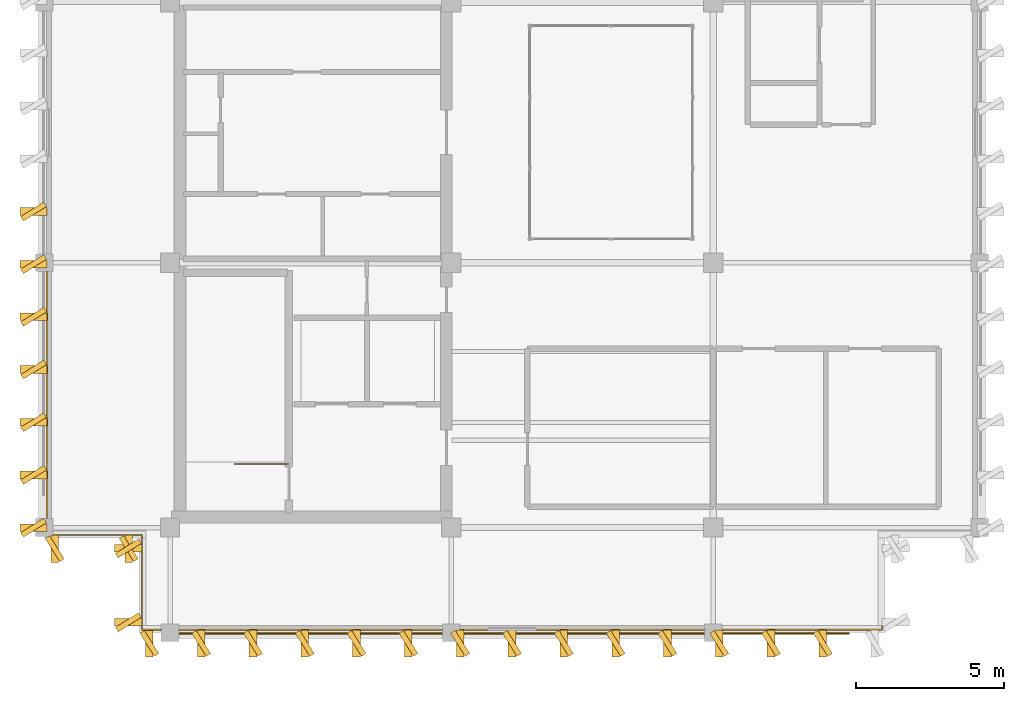
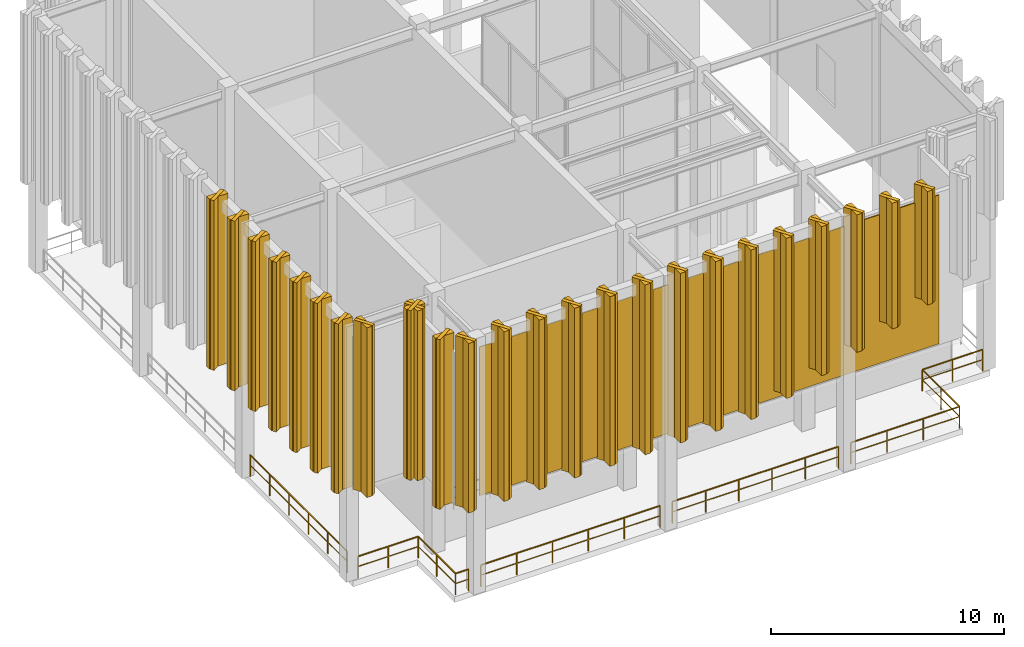
# One storey, part 13 of 15: 26 coverings, 25 shading devices, 7 railings.
"""IFC4 building model written with IfcOpenShell, lengths in metres."""

from ifc_helpers import new_model, si_unit, direction, frame, origin, origin_2d, place, context, subcontext, project, spatial, polyline, rectangle, outline, extrude, material, layer, layer_set, type_object, element, save


model = new_model("IFC4")

# Units and contexts
model_context = context("Model", 3, precision=1e-05, world=origin(), true_north=direction((0.0, 1.0)))
body_context = subcontext(model_context, "Body", "Model", "MODEL_VIEW")
ifc_project = project(units=[si_unit("LENGTHUNIT", "METRE"), si_unit("AREAUNIT", "SQUARE_METRE"), si_unit("VOLUMEUNIT", "CUBIC_METRE"), si_unit("PLANEANGLEUNIT", "RADIAN"), si_unit("MASSUNIT", "GRAM", prefix="KILO")], contexts=[model_context])

# Site, building, storey
site_placement = place(None, origin())
site = spatial("IfcSite", under=ifc_project, at=site_placement, CompositionType="ELEMENT")
building_placement = place(site_placement, origin())
building = spatial("IfcBuilding", under=site, at=building_placement, Name="Kundavana Baori Tower", CompositionType="ELEMENT")
storey_placement = place(building_placement, frame((0.0, 0.0, 354.699951171875)))
storey = spatial("IfcBuildingStorey", under=building, at=storey_placement, Name="L88", CompositionType="ELEMENT", Elevation=354.699951171875)

# Coverings
ifc_material_1 = material(Name="Red-Buff Dholpur Sandstone Cladding on Concrete C40/50", Category="masonry")
ifc_layer_1 = layer(ifc_material_1, 0.050048828125, Name="COV-EXT-CLAD")
ifc_layer_set_1 = layer_set([ifc_layer_1], Name="Red-Buff Dholpur Sandstone Cladding on Concrete C40/50")
covering_type_1 = type_object("IfcCoveringType", Name="COV-EXT-CLAD", PredefinedType="CLADDING", material=ifc_layer_set_1)
covering_1_placement = place(storey_placement, frame((0.0, 0.0, 4.900146484375)))
element("IfcCovering", 1, at=covering_1_placement, inside=storey, type_object=covering_type_1, Name="L88 Crown Carved Dholpur Stone Cladding 01", PredefinedType="CLADDING", context=body_context, shape_type="SweptSolid", body=[
    extrude(outline(polyline([(15.60009765625, 11.64990234375), (38.39990234375, 11.64990234375), (38.39990234375, 11.699951171875), (15.60009765625, 11.699951171875), (15.60009765625, 11.64990234375)])), origin(), (0.0, 0.0, 1.0), 7.7998046875),
])
ifc_material_2 = material(Name="Cream-White Makrana Limestone on Concrete C40/50", Category="masonry")
ifc_layer_2 = layer(ifc_material_2, 0.239990234375, Name="COV-SAIL-FIN")
ifc_layer_set_2 = layer_set([ifc_layer_2], Name="Cream-White Makrana Limestone on Concrete C40/50")
covering_type_2 = type_object("IfcCoveringType", Name="COV-SAIL-FIN", PredefinedType="CLADDING", material=ifc_layer_set_2)
covering_2_placement = place(storey_placement, frame((0.0, 0.0, 4.800048828125)))
element("IfcCovering", 2, at=covering_2_placement, inside=storey, type_object=covering_type_2, Name="L88 Climbing Makrana White Limestone Sail Fin 001", PredefinedType="CLADDING", context=body_context, shape_type="SweptSolid", body=[
    extrude(outline(polyline([(14.6201171875, 10.8798828125), (14.8798828125, 10.8798828125), (14.8798828125, 11.800048828125), (14.6201171875, 11.800048828125), (14.6201171875, 10.8798828125)])), origin(), (0.0, 0.0, 1.0), 8.89990234375),
])
covering_3_placement = place(storey_placement, frame((0.0, 0.0, 4.800048828125)))
element("IfcCovering", 3, at=covering_3_placement, inside=storey, type_object=covering_type_2, Name="L88 Climbing Makrana White Limestone Sail Fin 002", PredefinedType="CLADDING", context=body_context, shape_type="SweptSolid", body=[
    extrude(outline(polyline([(16.3701171875, 10.8798828125), (16.6298828125, 10.8798828125), (16.6298828125, 11.800048828125), (16.3701171875, 11.800048828125), (16.3701171875, 10.8798828125)])), origin(), (0.0, 0.0, 1.0), 8.89990234375),
])
covering_4_placement = place(storey_placement, frame((0.0, 0.0, 4.800048828125)))
element("IfcCovering", 4, at=covering_4_placement, inside=storey, type_object=covering_type_2, Name="L88 Climbing Makrana White Limestone Sail Fin 003", PredefinedType="CLADDING", context=body_context, shape_type="SweptSolid", body=[
    extrude(outline(polyline([(18.1201171875, 10.8798828125), (18.3798828125, 10.8798828125), (18.3798828125, 11.800048828125), (18.1201171875, 11.800048828125), (18.1201171875, 10.8798828125)])), origin(), (0.0, 0.0, 1.0), 8.89990234375),
])
covering_5_placement = place(storey_placement, frame((0.0, 0.0, 4.800048828125)))
element("IfcCovering", 5, at=covering_5_placement, inside=storey, type_object=covering_type_2, Name="L88 Climbing Makrana White Limestone Sail Fin 004", PredefinedType="CLADDING", context=body_context, shape_type="SweptSolid", body=[
    extrude(outline(polyline([(19.8701171875, 10.8798828125), (20.1298828125, 10.8798828125), (20.1298828125, 11.800048828125), (19.8701171875, 11.800048828125), (19.8701171875, 10.8798828125)])), origin(), (0.0, 0.0, 1.0), 8.89990234375),
])
covering_6_placement = place(storey_placement, frame((0.0, 0.0, 4.800048828125)))
element("IfcCovering", 6, at=covering_6_placement, inside=storey, type_object=covering_type_2, Name="L88 Climbing Makrana White Limestone Sail Fin 005", PredefinedType="CLADDING", context=body_context, shape_type="SweptSolid", body=[
    extrude(outline(polyline([(21.6201171875, 10.8798828125), (21.8798828125, 10.8798828125), (21.8798828125, 11.800048828125), (21.6201171875, 11.800048828125), (21.6201171875, 10.8798828125)])), origin(), (0.0, 0.0, 1.0), 8.89990234375),
])
covering_7_placement = place(storey_placement, frame((0.0, 0.0, 4.800048828125)))
element("IfcCovering", 7, at=covering_7_placement, inside=storey, type_object=covering_type_2, Name="L88 Climbing Makrana White Limestone Sail Fin 006", PredefinedType="CLADDING", context=body_context, shape_type="SweptSolid", body=[
    extrude(outline(polyline([(23.3701171875, 10.8798828125), (23.6298828125, 10.8798828125), (23.6298828125, 11.800048828125), (23.3701171875, 11.800048828125), (23.3701171875, 10.8798828125)])), origin(), (0.0, 0.0, 1.0), 8.89990234375),
])
covering_8_placement = place(storey_placement, frame((0.0, 0.0, 4.800048828125)))
element("IfcCovering", 8, at=covering_8_placement, inside=storey, type_object=covering_type_2, Name="L88 Climbing Makrana White Limestone Sail Fin 007", PredefinedType="CLADDING", context=body_context, shape_type="SweptSolid", body=[
    extrude(outline(polyline([(25.1201171875, 10.8798828125), (25.3798828125, 10.8798828125), (25.3798828125, 11.800048828125), (25.1201171875, 11.800048828125), (25.1201171875, 10.8798828125)])), origin(), (0.0, 0.0, 1.0), 8.89990234375),
])
covering_9_placement = place(storey_placement, frame((0.0, 0.0, 4.800048828125)))
element("IfcCovering", 9, at=covering_9_placement, inside=storey, type_object=covering_type_2, Name="L88 Climbing Makrana White Limestone Sail Fin 008", PredefinedType="CLADDING", context=body_context, shape_type="SweptSolid", body=[
    extrude(outline(polyline([(26.8701171875, 10.8798828125), (27.1298828125, 10.8798828125), (27.1298828125, 11.800048828125), (26.8701171875, 11.800048828125), (26.8701171875, 10.8798828125)])), origin(), (0.0, 0.0, 1.0), 8.89990234375),
])
covering_10_placement = place(storey_placement, frame((0.0, 0.0, 4.800048828125)))
element("IfcCovering", 10, at=covering_10_placement, inside=storey, type_object=covering_type_2, Name="L88 Climbing Makrana White Limestone Sail Fin 009", PredefinedType="CLADDING", context=body_context, shape_type="SweptSolid", body=[
    extrude(outline(polyline([(28.6201171875, 10.8798828125), (28.8798828125, 10.8798828125), (28.8798828125, 11.800048828125), (28.6201171875, 11.800048828125), (28.6201171875, 10.8798828125)])), origin(), (0.0, 0.0, 1.0), 8.89990234375),
])
covering_11_placement = place(storey_placement, frame((0.0, 0.0, 5.298583984375)))
element("IfcCovering", 11, at=covering_11_placement, inside=storey, type_object=covering_type_2, Name="L88 Climbing Makrana White Limestone Sail Fin 010", PredefinedType="CLADDING", context=body_context, shape_type="SweptSolid", body=[
    extrude(outline(polyline([(30.3701171875, 10.8798828125), (30.6298828125, 10.8798828125), (30.6298828125, 11.800048828125), (30.3701171875, 11.800048828125), (30.3701171875, 10.8798828125)])), origin(), (0.0, 0.0, 1.0), 8.4013671875),
])
covering_12_placement = place(storey_placement, frame((0.0, 0.0, 5.8857421875)))
element("IfcCovering", 12, at=covering_12_placement, inside=storey, type_object=covering_type_2, Name="L88 Climbing Makrana White Limestone Sail Fin 011", PredefinedType="CLADDING", context=body_context, shape_type="SweptSolid", body=[
    extrude(outline(polyline([(32.1201171875, 10.8798828125), (32.3798828125, 10.8798828125), (32.3798828125, 11.800048828125), (32.1201171875, 11.800048828125), (32.1201171875, 10.8798828125)])), origin(), (0.0, 0.0, 1.0), 7.814208984375),
])
covering_13_placement = place(storey_placement, frame((0.0, 0.0, 6.488037109375)))
element("IfcCovering", 13, at=covering_13_placement, inside=storey, type_object=covering_type_2, Name="L88 Climbing Makrana White Limestone Sail Fin 012", PredefinedType="CLADDING", context=body_context, shape_type="SweptSolid", body=[
    extrude(outline(polyline([(33.8701171875, 10.8798828125), (34.1298828125, 10.8798828125), (34.1298828125, 11.800048828125), (33.8701171875, 11.800048828125), (33.8701171875, 10.8798828125)])), origin(), (0.0, 0.0, 1.0), 7.2119140625),
])
covering_14_placement = place(storey_placement, frame((0.0, 0.0, 7.1083984375)))
element("IfcCovering", 14, at=covering_14_placement, inside=storey, type_object=covering_type_2, Name="L88 Climbing Makrana White Limestone Sail Fin 013", PredefinedType="CLADDING", context=body_context, shape_type="SweptSolid", body=[
    extrude(outline(polyline([(35.6201171875, 10.8798828125), (35.8798828125, 10.8798828125), (35.8798828125, 11.800048828125), (35.6201171875, 11.800048828125), (35.6201171875, 10.8798828125)])), origin(), (0.0, 0.0, 1.0), 6.591552734375),
])
covering_15_placement = place(storey_placement, frame((0.0, 0.0, 7.752685546875)))
element("IfcCovering", 15, at=covering_15_placement, inside=storey, type_object=covering_type_2, Name="L88 Climbing Makrana White Limestone Sail Fin 014", PredefinedType="CLADDING", context=body_context, shape_type="SweptSolid", body=[
    extrude(outline(polyline([(37.3701171875, 10.8798828125), (37.6298828125, 10.8798828125), (37.6298828125, 11.800048828125), (37.3701171875, 11.800048828125), (37.3701171875, 10.8798828125)])), origin(), (0.0, 0.0, 1.0), 5.947265625),
])
covering_16_placement = place(storey_placement, frame((0.0, 0.0, 4.800048828125)))
element("IfcCovering", 16, at=covering_16_placement, inside=storey, type_object=covering_type_2, Name="L88 Climbing Makrana White Limestone Sail Fin 068", PredefinedType="CLADDING", context=body_context, shape_type="SweptSolid", body=[
    extrude(outline(polyline([(10.3798828125, 25.800048828125), (11.300048828125, 25.800048828125), (11.300048828125, 26.06005859375), (10.3798828125, 26.06005859375), (10.3798828125, 25.800048828125)])), origin(), (0.0, 0.0, 1.0), 8.89990234375),
])
covering_17_placement = place(storey_placement, frame((0.0, 0.0, 4.800048828125)))
element("IfcCovering", 17, at=covering_17_placement, inside=storey, type_object=covering_type_2, Name="L88 Climbing Makrana White Limestone Sail Fin 069", PredefinedType="CLADDING", context=body_context, shape_type="SweptSolid", body=[
    extrude(outline(polyline([(10.3798828125, 24.02001953125), (11.300048828125, 24.02001953125), (11.300048828125, 24.280029296875), (10.3798828125, 24.280029296875), (10.3798828125, 24.02001953125)])), origin(), (0.0, 0.0, 1.0), 8.89990234375),
])
covering_18_placement = place(storey_placement, frame((0.0, 0.0, 4.800048828125)))
element("IfcCovering", 18, at=covering_18_placement, inside=storey, type_object=covering_type_2, Name="L88 Climbing Makrana White Limestone Sail Fin 070", PredefinedType="CLADDING", context=body_context, shape_type="SweptSolid", body=[
    extrude(outline(polyline([(10.3798828125, 22.239990234375), (11.300048828125, 22.239990234375), (11.300048828125, 22.5), (10.3798828125, 22.5), (10.3798828125, 22.239990234375)])), origin(), (0.0, 0.0, 1.0), 8.89990234375),
])
covering_19_placement = place(storey_placement, frame((0.0, 0.0, 4.800048828125)))
element("IfcCovering", 19, at=covering_19_placement, inside=storey, type_object=covering_type_2, Name="L88 Climbing Makrana White Limestone Sail Fin 071", PredefinedType="CLADDING", context=body_context, shape_type="SweptSolid", body=[
    extrude(outline(polyline([(10.3798828125, 20.4599609375), (11.300048828125, 20.4599609375), (11.300048828125, 20.719970703125), (10.3798828125, 20.719970703125), (10.3798828125, 20.4599609375)])), origin(), (0.0, 0.0, 1.0), 8.89990234375),
])
covering_20_placement = place(storey_placement, frame((0.0, 0.0, 4.800048828125)))
element("IfcCovering", 20, at=covering_20_placement, inside=storey, type_object=covering_type_2, Name="L88 Climbing Makrana White Limestone Sail Fin 072", PredefinedType="CLADDING", context=body_context, shape_type="SweptSolid", body=[
    extrude(outline(polyline([(10.3798828125, 18.679931640625), (11.300048828125, 18.679931640625), (11.300048828125, 18.93994140625), (10.3798828125, 18.93994140625), (10.3798828125, 18.679931640625)])), origin(), (0.0, 0.0, 1.0), 8.89990234375),
])
covering_21_placement = place(storey_placement, frame((0.0, 0.0, 4.800048828125)))
element("IfcCovering", 21, at=covering_21_placement, inside=storey, type_object=covering_type_2, Name="L88 Climbing Makrana White Limestone Sail Fin 073", PredefinedType="CLADDING", context=body_context, shape_type="SweptSolid", body=[
    extrude(outline(polyline([(10.3798828125, 16.89990234375), (11.300048828125, 16.89990234375), (11.300048828125, 17.159912109375), (10.3798828125, 17.159912109375), (10.3798828125, 16.89990234375)])), origin(), (0.0, 0.0, 1.0), 8.89990234375),
])
covering_22_placement = place(storey_placement, frame((0.0, 0.0, 4.800048828125)))
element("IfcCovering", 22, at=covering_22_placement, inside=storey, type_object=covering_type_2, Name="L88 Climbing Makrana White Limestone Sail Fin 074", PredefinedType="CLADDING", context=body_context, shape_type="SweptSolid", body=[
    extrude(outline(polyline([(10.3798828125, 15.1201171875), (11.300048828125, 15.1201171875), (11.300048828125, 15.3798828125), (10.3798828125, 15.3798828125), (10.3798828125, 15.1201171875)])), origin(), (0.0, 0.0, 1.0), 8.89990234375),
])
covering_23_placement = place(storey_placement, frame((0.0, 0.0, 4.800048828125)))
element("IfcCovering", 23, at=covering_23_placement, inside=storey, type_object=covering_type_2, Name="L88 Climbing Makrana White Limestone Sail Fin 075", PredefinedType="CLADDING", context=body_context, shape_type="SweptSolid", body=[
    extrude(outline(polyline([(11.419921875, 14.080078125), (11.679931640625, 14.080078125), (11.679931640625, 15.0), (11.419921875, 15.0), (11.419921875, 14.080078125)])), origin(), (0.0, 0.0, 1.0), 8.89990234375),
])
covering_24_placement = place(storey_placement, frame((0.0, 0.0, 4.800048828125)))
element("IfcCovering", 24, at=covering_24_placement, inside=storey, type_object=covering_type_2, Name="L88 Climbing Makrana White Limestone Sail Fin 076", PredefinedType="CLADDING", context=body_context, shape_type="SweptSolid", body=[
    extrude(outline(polyline([(13.919921875, 14.080078125), (14.179931640625, 14.080078125), (14.179931640625, 15.0), (13.919921875, 15.0), (13.919921875, 14.080078125)])), origin(), (0.0, 0.0, 1.0), 8.89990234375),
])
covering_25_placement = place(storey_placement, frame((0.0, 0.0, 4.800048828125)))
element("IfcCovering", 25, at=covering_25_placement, inside=storey, type_object=covering_type_2, Name="L88 Climbing Makrana White Limestone Sail Fin 077", PredefinedType="CLADDING", context=body_context, shape_type="SweptSolid", body=[
    extrude(outline(polyline([(13.580078125, 14.419921875), (14.5, 14.419921875), (14.5, 14.679931640625), (13.580078125, 14.679931640625), (13.580078125, 14.419921875)])), origin(), (0.0, 0.0, 1.0), 8.89990234375),
])
covering_26_placement = place(storey_placement, frame((0.0, 0.0, 4.800048828125)))
element("IfcCovering", 26, at=covering_26_placement, inside=storey, type_object=covering_type_2, Name="L88 Climbing Makrana White Limestone Sail Fin 078", PredefinedType="CLADDING", context=body_context, shape_type="SweptSolid", body=[
    extrude(outline(polyline([(13.580078125, 11.919921875), (14.5, 11.919921875), (14.5, 12.179931640625), (13.580078125, 12.179931640625), (13.580078125, 11.919921875)])), origin(), (0.0, 0.0, 1.0), 8.89990234375),
])

# Railings
ifc_material_3 = material(Name="Architectural Patinated Bronze Metalwork")
railing_type_1 = type_object("IfcRailingType", Name="RL-BAL-1150", PredefinedType="BALUSTRADE", material=ifc_material_3)
railing_1_placement = place(storey_placement, frame((14.5, 11.800048828125, 0.0)))
element("IfcRailing", 27, at=railing_1_placement, inside=storey, type_object=railing_type_1, Name="L88 Mechanical Floor Perimeter Guard Rail 01", PredefinedType="BALUSTRADE", context=body_context, shape_type="SweptSolid", body=[
    extrude(rectangle(XDim=0.048095703125, YDim=0.048095703125, at=origin_2d()), frame((0.0, 0.0, 1.1259765625), z_axis=(0.0, 1.0, 0.0), x_axis=(-1.0, 0.0, 0.0)), (0.0, 0.0, 1.0), 3.199951171875),
    extrude(rectangle(XDim=0.03125, YDim=0.03125, at=origin_2d()), frame((0.0, 0.0, 0.597900390625), z_axis=(0.0, 1.0, 0.0), x_axis=(-1.0, 0.0, 0.0)), (0.0, 0.0, 1.0), 3.199951171875),
    extrude(rectangle(XDim=0.048095703125, YDim=0.048095703125, at=origin_2d()), frame((0.0, 3.199951171875, 1.1259765625), z_axis=(-1.0, 0.0, 0.0), x_axis=(0.0, -1.0, 0.0)), (0.0, 0.0, 1.0), 2.9951171875),
    extrude(rectangle(XDim=0.03125, YDim=0.03125, at=origin_2d()), frame((0.0, 3.199951171875, 0.597900390625), z_axis=(-1.0, 0.0, 0.0), x_axis=(0.0, -1.0, 0.0)), (0.0, 0.0, 1.0), 2.9951171875),
    extrude(rectangle(XDim=0.0419921875, YDim=0.0419921875, at=origin_2d()), origin(), (0.0, 0.0, 1.0), 1.101806640625),
    extrude(rectangle(XDim=0.0419921875, YDim=0.0419921875, at=origin_2d()), frame((0.0, 1.60009765625, 0.0)), (0.0, 0.0, 1.0), 1.101806640625),
    extrude(rectangle(XDim=0.0419921875, YDim=0.0419921875, at=origin_2d()), frame((0.0, 3.199951171875, 0.0)), (0.0, 0.0, 1.0), 1.101806640625),
    extrude(rectangle(XDim=0.0419921875, YDim=0.0419921875, at=origin_2d()), frame((-1.49755859375, 3.199951171875, 0.0)), (0.0, 0.0, 1.0), 1.101806640625),
    extrude(rectangle(XDim=0.0419921875, YDim=0.0419921875, at=origin_2d()), frame((-2.9951171875, 3.199951171875, 0.0)), (0.0, 0.0, 1.0), 1.101806640625),
])
railing_2_placement = place(storey_placement, frame((11.300048828125, 15.554931640625, 0.0)))
element("IfcRailing", 28, at=railing_2_placement, inside=storey, type_object=railing_type_1, Name="L88 Mechanical Floor Perimeter Guard Rail 02", PredefinedType="BALUSTRADE", context=body_context, shape_type="SweptSolid", body=[
    extrude(rectangle(XDim=0.048095703125, YDim=0.048095703125, at=origin_2d()), frame((0.0, 0.0, 1.1259765625), z_axis=(0.0, 1.0, 0.0), x_axis=(-1.0, 0.0, 0.0)), (0.0, 0.0, 1.0), 8.340087890625),
    extrude(rectangle(XDim=0.03125, YDim=0.03125, at=origin_2d()), frame((0.0, 0.0, 0.597900390625), z_axis=(0.0, 1.0, 0.0), x_axis=(-1.0, 0.0, 0.0)), (0.0, 0.0, 1.0), 8.340087890625),
    extrude(rectangle(XDim=0.0419921875, YDim=0.0419921875, at=origin_2d()), origin(), (0.0, 0.0, 1.0), 1.101806640625),
    extrude(rectangle(XDim=0.0419921875, YDim=0.0419921875, at=origin_2d()), frame((0.0, 1.66796875, 0.0)), (0.0, 0.0, 1.0), 1.101806640625),
    extrude(rectangle(XDim=0.0419921875, YDim=0.0419921875, at=origin_2d()), frame((0.0, 3.3359375, 0.0)), (0.0, 0.0, 1.0), 1.101806640625),
    extrude(rectangle(XDim=0.0419921875, YDim=0.0419921875, at=origin_2d()), frame((0.0, 5.004150390625, 0.0)), (0.0, 0.0, 1.0), 1.101806640625),
    extrude(rectangle(XDim=0.0419921875, YDim=0.0419921875, at=origin_2d()), frame((0.0, 6.672119140625, 0.0)), (0.0, 0.0, 1.0), 1.101806640625),
    extrude(rectangle(XDim=0.0419921875, YDim=0.0419921875, at=origin_2d()), frame((0.0, 8.340087890625, 0.0)), (0.0, 0.0, 1.0), 1.101806640625),
])
railing_3_placement = place(storey_placement, frame((42.4951171875, 15.0, 0.0)))
element("IfcRailing", 29, at=railing_3_placement, inside=storey, type_object=railing_type_1, Name="L88 Mechanical Floor Perimeter Guard Rail 12", PredefinedType="BALUSTRADE", context=body_context, shape_type="SweptSolid", body=[
    extrude(rectangle(XDim=0.048095703125, YDim=0.048095703125, at=origin_2d()), frame((0.0, 0.0, 1.1259765625), z_axis=(-1.0, 0.0, 0.0), x_axis=(0.0, -1.0, 0.0)), (0.0, 0.0, 1.0), 2.9951171875),
    extrude(rectangle(XDim=0.03125, YDim=0.03125, at=origin_2d()), frame((0.0, 0.0, 0.597900390625), z_axis=(-1.0, 0.0, 0.0), x_axis=(0.0, -1.0, 0.0)), (0.0, 0.0, 1.0), 2.9951171875),
    extrude(rectangle(XDim=0.048095703125, YDim=0.048095703125, at=origin_2d()), frame((-2.9951171875, 0.0, 1.1259765625), z_axis=(0.0, -1.0, 0.0), x_axis=(1.0, 0.0, 0.0)), (0.0, 0.0, 1.0), 3.199951171875),
    extrude(rectangle(XDim=0.03125, YDim=0.03125, at=origin_2d()), frame((-2.9951171875, 0.0, 0.597900390625), z_axis=(0.0, -1.0, 0.0), x_axis=(1.0, 0.0, 0.0)), (0.0, 0.0, 1.0), 3.199951171875),
    extrude(rectangle(XDim=0.048095703125, YDim=0.048095703125, at=origin_2d()), frame((-2.9951171875, -3.199951171875, 1.1259765625), z_axis=(-1.0, 0.0, 0.0), x_axis=(0.0, -1.0, 0.0)), (0.0, 0.0, 1.0), 5.39501953125),
    extrude(rectangle(XDim=0.03125, YDim=0.03125, at=origin_2d()), frame((-2.9951171875, -3.199951171875, 0.597900390625), z_axis=(-1.0, 0.0, 0.0), x_axis=(0.0, -1.0, 0.0)), (0.0, 0.0, 1.0), 5.39501953125),
    extrude(rectangle(XDim=0.0419921875, YDim=0.0419921875, at=origin_2d()), origin(), (0.0, 0.0, 1.0), 1.101806640625),
    extrude(rectangle(XDim=0.0419921875, YDim=0.0419921875, at=origin_2d()), frame((-1.49755859375, 0.0, 0.0)), (0.0, 0.0, 1.0), 1.101806640625),
    extrude(rectangle(XDim=0.0419921875, YDim=0.0419921875, at=origin_2d()), frame((-2.9951171875, 0.0, 0.0)), (0.0, 0.0, 1.0), 1.101806640625),
    extrude(rectangle(XDim=0.0419921875, YDim=0.0419921875, at=origin_2d()), frame((-2.9951171875, -1.60009765625, 0.0)), (0.0, 0.0, 1.0), 1.101806640625),
    extrude(rectangle(XDim=0.0419921875, YDim=0.0419921875, at=origin_2d()), frame((-2.9951171875, -3.199951171875, 0.0)), (0.0, 0.0, 1.0), 1.101806640625),
    extrude(rectangle(XDim=0.0419921875, YDim=0.0419921875, at=origin_2d()), frame((-4.79345703125, -3.199951171875, 0.0)), (0.0, 0.0, 1.0), 1.101806640625),
    extrude(rectangle(XDim=0.0419921875, YDim=0.0419921875, at=origin_2d()), frame((-6.591796875, -3.199951171875, 0.0)), (0.0, 0.0, 1.0), 1.101806640625),
    extrude(rectangle(XDim=0.0419921875, YDim=0.0419921875, at=origin_2d()), frame((-8.39013671875, -3.199951171875, 0.0)), (0.0, 0.0, 1.0), 1.101806640625),
])
railing_4_placement = place(storey_placement, frame((33.4951171875, 11.800048828125, 0.0)))
element("IfcRailing", 30, at=railing_4_placement, inside=storey, type_object=railing_type_1, Name="L88 Mechanical Floor Perimeter Guard Rail 13", PredefinedType="BALUSTRADE", context=body_context, shape_type="SweptSolid", body=[
    extrude(rectangle(XDim=0.048095703125, YDim=0.048095703125, at=origin_2d()), frame((0.0, 0.0, 1.1259765625), z_axis=(-1.0, 0.0, 0.0), x_axis=(0.0, -1.0, 0.0)), (0.0, 0.0, 1.0), 8.240234375),
    extrude(rectangle(XDim=0.03125, YDim=0.03125, at=origin_2d()), frame((0.0, 0.0, 0.597900390625), z_axis=(-1.0, 0.0, 0.0), x_axis=(0.0, -1.0, 0.0)), (0.0, 0.0, 1.0), 8.240234375),
    extrude(rectangle(XDim=0.0419921875, YDim=0.0419921875, at=origin_2d()), origin(), (0.0, 0.0, 1.0), 1.101806640625),
    extrude(rectangle(XDim=0.0419921875, YDim=0.0419921875, at=origin_2d()), frame((-1.64794921875, 0.0, 0.0)), (0.0, 0.0, 1.0), 1.101806640625),
    extrude(rectangle(XDim=0.0419921875, YDim=0.0419921875, at=origin_2d()), frame((-3.296142578125, 0.0, 0.0)), (0.0, 0.0, 1.0), 1.101806640625),
    extrude(rectangle(XDim=0.0419921875, YDim=0.0419921875, at=origin_2d()), frame((-4.944091796875, 0.0, 0.0)), (0.0, 0.0, 1.0), 1.101806640625),
    extrude(rectangle(XDim=0.0419921875, YDim=0.0419921875, at=origin_2d()), frame((-6.59228515625, 0.0, 0.0)), (0.0, 0.0, 1.0), 1.101806640625),
    extrude(rectangle(XDim=0.0419921875, YDim=0.0419921875, at=origin_2d()), frame((-8.240234375, 0.0, 0.0)), (0.0, 0.0, 1.0), 1.101806640625),
])
railing_5_placement = place(storey_placement, frame((24.64501953125, 11.800048828125, 0.0)))
element("IfcRailing", 31, at=railing_5_placement, inside=storey, type_object=railing_type_1, Name="L88 Mechanical Floor Perimeter Guard Rail 14", PredefinedType="BALUSTRADE", context=body_context, shape_type="SweptSolid", body=[
    extrude(rectangle(XDim=0.048095703125, YDim=0.048095703125, at=origin_2d()), frame((0.0, 0.0, 1.1259765625), z_axis=(-1.0, 0.0, 0.0), x_axis=(0.0, -1.0, 0.0)), (0.0, 0.0, 1.0), 8.89013671875),
    extrude(rectangle(XDim=0.03125, YDim=0.03125, at=origin_2d()), frame((0.0, 0.0, 0.597900390625), z_axis=(-1.0, 0.0, 0.0), x_axis=(0.0, -1.0, 0.0)), (0.0, 0.0, 1.0), 8.89013671875),
    extrude(rectangle(XDim=0.0419921875, YDim=0.0419921875, at=origin_2d()), origin(), (0.0, 0.0, 1.0), 1.101806640625),
    extrude(rectangle(XDim=0.0419921875, YDim=0.0419921875, at=origin_2d()), frame((-1.778076171875, 0.0, 0.0)), (0.0, 0.0, 1.0), 1.101806640625),
    extrude(rectangle(XDim=0.0419921875, YDim=0.0419921875, at=origin_2d()), frame((-3.55615234375, 0.0, 0.0)), (0.0, 0.0, 1.0), 1.101806640625),
    extrude(rectangle(XDim=0.0419921875, YDim=0.0419921875, at=origin_2d()), frame((-5.333984375, 0.0, 0.0)), (0.0, 0.0, 1.0), 1.101806640625),
    extrude(rectangle(XDim=0.0419921875, YDim=0.0419921875, at=origin_2d()), frame((-7.112060546875, 0.0, 0.0)), (0.0, 0.0, 1.0), 1.101806640625),
    extrude(rectangle(XDim=0.0419921875, YDim=0.0419921875, at=origin_2d()), frame((-8.89013671875, 0.0, 0.0)), (0.0, 0.0, 1.0), 1.101806640625),
])
railing_6_placement = place(storey_placement, frame((15.14501953125, 11.800048828125, 0.0)))
element("IfcRailing", 32, at=railing_6_placement, inside=storey, type_object=railing_type_1, Name="L88 Mechanical Floor Perimeter Guard Rail 15", PredefinedType="BALUSTRADE", context=body_context, shape_type="SweptSolid", body=[
    extrude(rectangle(XDim=0.048095703125, YDim=0.048095703125, at=origin_2d()), frame((0.0, 0.0, 1.1259765625), z_axis=(-1.0, 0.0, 0.0), x_axis=(0.0, -1.0, 0.0)), (0.0, 0.0, 1.0), 0.64501953125),
    extrude(rectangle(XDim=0.03125, YDim=0.03125, at=origin_2d()), frame((0.0, 0.0, 0.597900390625), z_axis=(-1.0, 0.0, 0.0), x_axis=(0.0, -1.0, 0.0)), (0.0, 0.0, 1.0), 0.64501953125),
    extrude(rectangle(XDim=0.0419921875, YDim=0.0419921875, at=origin_2d()), origin(), (0.0, 0.0, 1.0), 1.101806640625),
    extrude(rectangle(XDim=0.0419921875, YDim=0.0419921875, at=origin_2d()), frame((-0.64501953125, 0.0, 0.0)), (0.0, 0.0, 1.0), 1.101806640625),
])
ifc_material_4 = material(Name="Architectural Patinated Bronze Metalwork")
railing_type_2 = type_object("IfcRailingType", Name="RL-GRD-1150", PredefinedType="GUARDRAIL", material=ifc_material_4)
railing_7_placement = place(storey_placement, frame((19.43994140625, 17.39990234375, 0.0)))
element("IfcRailing", 33, at=railing_7_placement, inside=storey, type_object=railing_type_2, Name="L88 ST1 top well guard 1", PredefinedType="GUARDRAIL", context=body_context, shape_type="SweptSolid", body=[
    extrude(rectangle(XDim=0.048095703125, YDim=0.048095703125, at=origin_2d()), frame((0.0, 0.0, 1.1259765625), z_axis=(-1.0, 0.0, 0.0), x_axis=(0.0, -1.0, 0.0)), (0.0, 0.0, 1.0), 1.81005859375),
    extrude(rectangle(XDim=0.03125, YDim=0.03125, at=origin_2d()), frame((0.0, 0.0, 0.597900390625), z_axis=(-1.0, 0.0, 0.0), x_axis=(0.0, -1.0, 0.0)), (0.0, 0.0, 1.0), 1.81005859375),
    extrude(rectangle(XDim=0.0419921875, YDim=0.0419921875, at=origin_2d()), origin(), (0.0, 0.0, 1.0), 1.101806640625),
    extrude(rectangle(XDim=0.0419921875, YDim=0.0419921875, at=origin_2d()), frame((-1.81005859375, 0.0, 0.0)), (0.0, 0.0, 1.0), 1.101806640625),
])

# Shading devices
ifc_material_5 = material(Name="Red-Buff Dholpur Sandstone Cladding on Concrete C40/50", Category="masonry")
shading_device_type = type_object("IfcShadingDeviceType", Name="SHD-FIN-920", PredefinedType="JALOUSIE", material=ifc_material_5)
for number, where, z_axis, x_axis, name in (
    (34, (14.75, 11.340087890625, 4.800048828125), (0.0, 0.0, 1.0), (0.848048096156, 0.529919264233, 0.0), "L88 Sweeping Makrana Limestone Crown Sail Blade 001"),
    (35, (16.5, 11.340087890625, 4.800048828125), (0.0, 0.0, 1.0), (0.848048096156, 0.529919264233, 0.0), "L88 Sweeping Makrana Limestone Crown Sail Blade 002"),
    (36, (18.25, 11.340087890625, 4.800048828125), (0.0, 0.0, 1.0), (0.848048096156, 0.529919264233, 0.0), "L88 Sweeping Makrana Limestone Crown Sail Blade 003"),
    (37, (20.0, 11.340087890625, 4.800048828125), (0.0, 0.0, 1.0), (0.848048096156, 0.529919264233, 0.0), "L88 Sweeping Makrana Limestone Crown Sail Blade 004"),
    (38, (21.75, 11.340087890625, 4.800048828125), (0.0, 0.0, 1.0), (0.848048096156, 0.529919264233, 0.0), "L88 Sweeping Makrana Limestone Crown Sail Blade 005"),
    (39, (23.5, 11.340087890625, 4.800048828125), (0.0, 0.0, 1.0), (0.848048096156, 0.529919264233, 0.0), "L88 Sweeping Makrana Limestone Crown Sail Blade 006"),
    (40, (25.25, 11.340087890625, 4.800048828125), (0.0, 0.0, 1.0), (0.848048096156, 0.529919264233, 0.0), "L88 Sweeping Makrana Limestone Crown Sail Blade 007"),
    (41, (27.0, 11.340087890625, 4.800048828125), (0.0, 0.0, 1.0), (0.848048096156, 0.529919264233, 0.0), "L88 Sweeping Makrana Limestone Crown Sail Blade 008"),
    (42, (28.75, 11.340087890625, 4.800048828125), (0.0, 0.0, 1.0), (0.848048096156, 0.529919264233, 0.0), "L88 Sweeping Makrana Limestone Crown Sail Blade 009"),
):
    element("IfcShadingDevice", number, at=place(storey_placement, frame(where, z_axis=z_axis, x_axis=x_axis)), inside=storey, type_object=shading_device_type, Name=name, PredefinedType="JALOUSIE", context=body_context, shape_type="SweptSolid", body=[
        extrude(rectangle(XDim=0.179931640625, YDim=0.919921875, at=origin_2d()), origin(), (0.0, 0.0, 1.0), 8.89990234375),
    ])
shading_device_1_placement = place(storey_placement, frame((30.5, 11.340087890625, 5.298583984375), z_axis=(0.0, 0.0, 1.0), x_axis=(0.848048096156, 0.529919264233, 0.0)))
element("IfcShadingDevice", 43, at=shading_device_1_placement, inside=storey, type_object=shading_device_type, Name="L88 Sweeping Makrana Limestone Crown Sail Blade 010", PredefinedType="JALOUSIE", context=body_context, shape_type="SweptSolid", body=[
    extrude(rectangle(XDim=0.179931640625, YDim=0.919921875, at=origin_2d()), origin(), (0.0, 0.0, 1.0), 8.4013671875),
])
shading_device_2_placement = place(storey_placement, frame((32.25, 11.340087890625, 5.8857421875), z_axis=(0.0, 0.0, 1.0), x_axis=(0.848048096156, 0.529919264233, 0.0)))
element("IfcShadingDevice", 44, at=shading_device_2_placement, inside=storey, type_object=shading_device_type, Name="L88 Sweeping Makrana Limestone Crown Sail Blade 011", PredefinedType="JALOUSIE", context=body_context, shape_type="SweptSolid", body=[
    extrude(rectangle(XDim=0.179931640625, YDim=0.919921875, at=origin_2d()), origin(), (0.0, 0.0, 1.0), 7.814208984375),
])
shading_device_3_placement = place(storey_placement, frame((34.0, 11.340087890625, 6.48779296875), z_axis=(0.0, 0.0, 1.0), x_axis=(0.848048096156, 0.529919264233, 0.0)))
element("IfcShadingDevice", 45, at=shading_device_3_placement, inside=storey, type_object=shading_device_type, Name="L88 Sweeping Makrana Limestone Crown Sail Blade 012", PredefinedType="JALOUSIE", context=body_context, shape_type="SweptSolid", body=[
    extrude(rectangle(XDim=0.179931640625, YDim=0.919921875, at=origin_2d()), origin(), (0.0, 0.0, 1.0), 7.212158203125),
])
shading_device_4_placement = place(storey_placement, frame((35.75, 11.340087890625, 7.1083984375), z_axis=(0.0, 0.0, 1.0), x_axis=(0.848048096156, 0.529919264233, 0.0)))
element("IfcShadingDevice", 46, at=shading_device_4_placement, inside=storey, type_object=shading_device_type, Name="L88 Sweeping Makrana Limestone Crown Sail Blade 013", PredefinedType="JALOUSIE", context=body_context, shape_type="SweptSolid", body=[
    extrude(rectangle(XDim=0.179931640625, YDim=0.919921875, at=origin_2d()), origin(), (0.0, 0.0, 1.0), 6.591552734375),
])
shading_device_5_placement = place(storey_placement, frame((37.5, 11.340087890625, 7.75244140625), z_axis=(0.0, 0.0, 1.0), x_axis=(0.848048096156, 0.529919264233, 0.0)))
element("IfcShadingDevice", 47, at=shading_device_5_placement, inside=storey, type_object=shading_device_type, Name="L88 Sweeping Makrana Limestone Crown Sail Blade 014", PredefinedType="JALOUSIE", context=body_context, shape_type="SweptSolid", body=[
    extrude(rectangle(XDim=0.179931640625, YDim=0.919921875, at=origin_2d()), origin(), (0.0, 0.0, 1.0), 5.947509765625),
])
for number, where, z_axis, x_axis, name in (
    (48, (10.840087890625, 25.929931640625, 4.800048828125), (0.0, 0.0, 1.0), (-0.529919264233, 0.848048096156, 0.0), "L88 Sweeping Makrana Limestone Crown Sail Blade 068"),
    (49, (10.840087890625, 24.14990234375, 4.800048828125), (0.0, 0.0, 1.0), (-0.529919264233, 0.848048096156, 0.0), "L88 Sweeping Makrana Limestone Crown Sail Blade 069"),
    (50, (10.840087890625, 22.3701171875, 4.800048828125), (0.0, 0.0, 1.0), (-0.529919264233, 0.848048096156, 0.0), "L88 Sweeping Makrana Limestone Crown Sail Blade 070"),
    (51, (10.840087890625, 20.590087890625, 4.800048828125), (0.0, 0.0, 1.0), (-0.529919264233, 0.848048096156, 0.0), "L88 Sweeping Makrana Limestone Crown Sail Blade 071"),
    (52, (10.840087890625, 18.81005859375, 4.800048828125), (0.0, 0.0, 1.0), (-0.529919264233, 0.848048096156, 0.0), "L88 Sweeping Makrana Limestone Crown Sail Blade 072"),
    (53, (10.840087890625, 17.030029296875, 4.800048828125), (0.0, 0.0, 1.0), (-0.529919264233, 0.848048096156, 0.0), "L88 Sweeping Makrana Limestone Crown Sail Blade 073"),
    (54, (10.840087890625, 15.25, 4.800048828125), (0.0, 0.0, 1.0), (-0.529919264233, 0.848048096156, 0.0), "L88 Sweeping Makrana Limestone Crown Sail Blade 074"),
    (55, (11.550048828125, 14.5400390625, 4.800048828125), (0.0, 0.0, 1.0), (0.848048096156, 0.529919264233, 0.0), "L88 Sweeping Makrana Limestone Crown Sail Blade 075"),
    (56, (14.050048828125, 14.5400390625, 4.800048828125), (0.0, 0.0, 1.0), (0.848048096156, 0.529919264233, 0.0), "L88 Sweeping Makrana Limestone Crown Sail Blade 076"),
    (57, (14.0400390625, 14.550048828125, 4.800048828125), (0.0, 0.0, 1.0), (-0.529919264233, 0.848048096156, 0.0), "L88 Sweeping Makrana Limestone Crown Sail Blade 077"),
    (58, (14.0400390625, 12.050048828125, 4.800048828125), (0.0, 0.0, 1.0), (-0.529919264233, 0.848048096156, 0.0), "L88 Sweeping Makrana Limestone Crown Sail Blade 078"),
):
    element("IfcShadingDevice", number, at=place(storey_placement, frame(where, z_axis=z_axis, x_axis=x_axis)), inside=storey, type_object=shading_device_type, Name=name, PredefinedType="JALOUSIE", context=body_context, shape_type="SweptSolid", body=[
        extrude(rectangle(XDim=0.179931640625, YDim=0.919921875, at=origin_2d()), origin(), (0.0, 0.0, 1.0), 8.89990234375),
    ])

save(model, "model.ifc")
